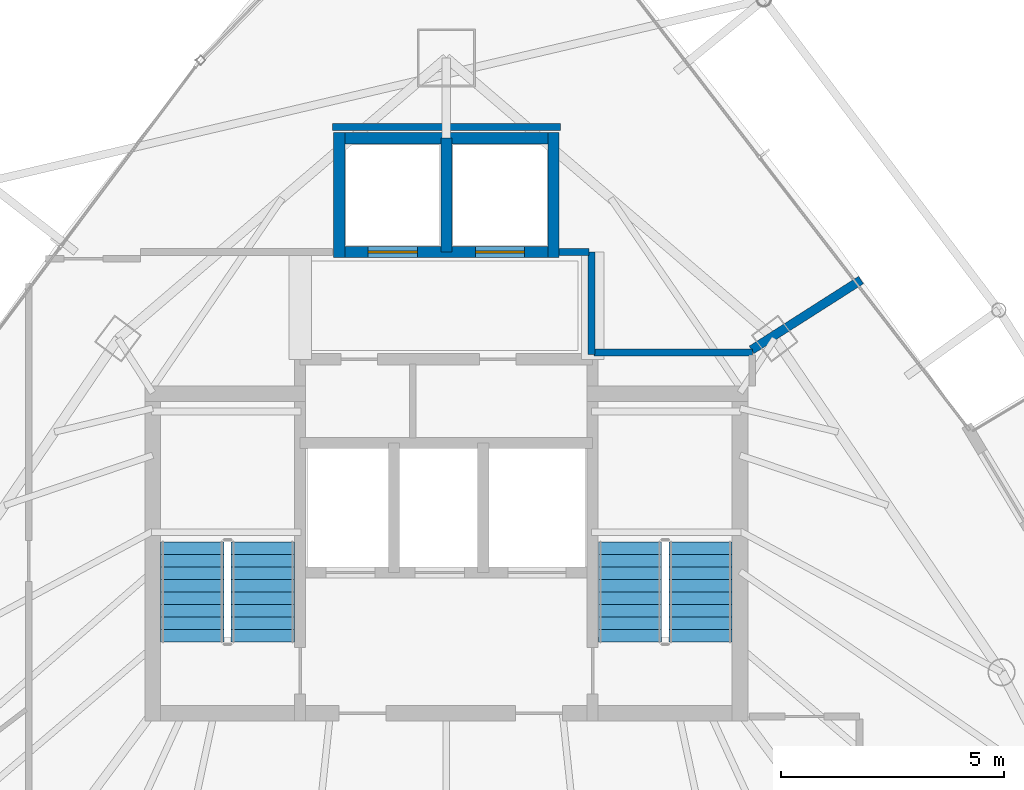
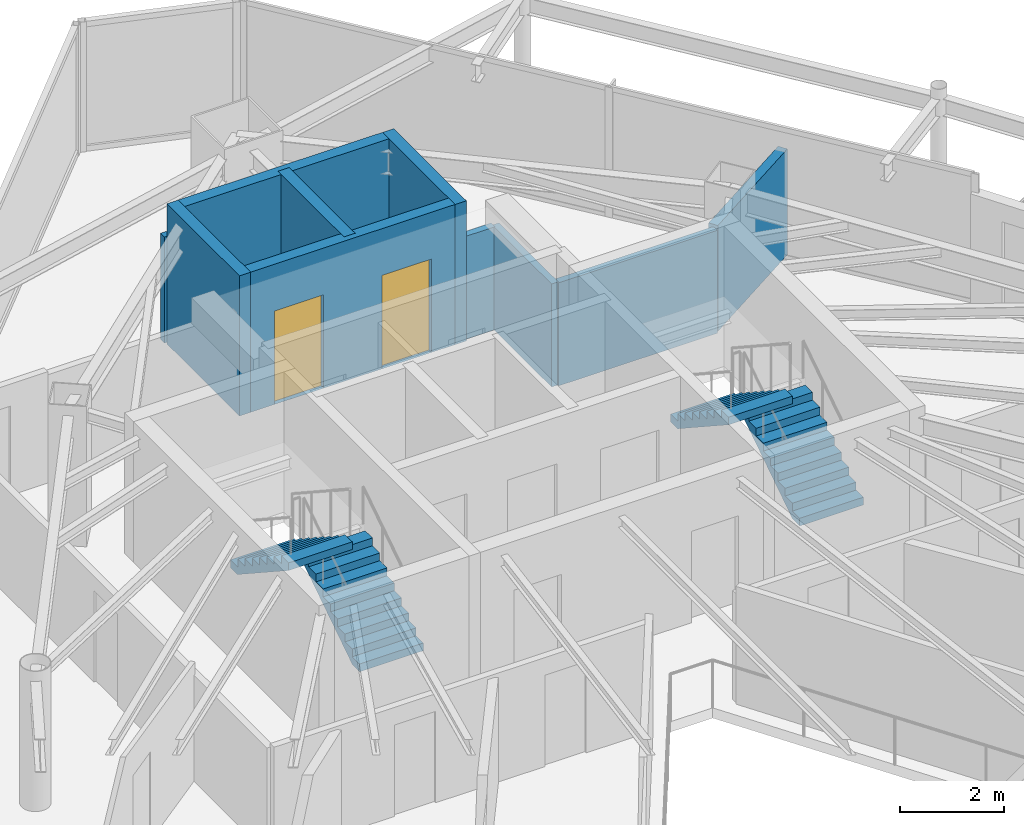
# One storey, part 30 of 33: 10 walls, 4 stair flights, 2 doors, 2 openings, 2 elements without a shape of their own.
"""IFC4 building model written with IfcOpenShell, lengths in metres."""

from ifc_helpers import new_model, si_unit, direction, frame, frame_2d, origin, place, context, subcontext, project, spatial, polyline, rectangle, outline, extrude, material, layer, layer_set, type_object, element, fill, aggregate, save


model = new_model("IFC4")

# Units and contexts
model_context = context("Model", 3, precision=1e-05, world=origin(), true_north=direction((0.0, 1.0)))
body_context = subcontext(model_context, "Body", "Model", "MODEL_VIEW")
ifc_project = project(units=[si_unit("LENGTHUNIT", "METRE"), si_unit("AREAUNIT", "SQUARE_METRE"), si_unit("VOLUMEUNIT", "CUBIC_METRE"), si_unit("PLANEANGLEUNIT", "RADIAN"), si_unit("MASSUNIT", "GRAM", prefix="KILO")], contexts=[model_context])

# Site, building, storey
site_placement = place(None, origin())
site = spatial("IfcSite", under=ifc_project, at=site_placement, CompositionType="ELEMENT")
building_placement = place(site_placement, origin())
building = spatial("IfcBuilding", under=site, at=building_placement, Name="Orvanel Arch Residences", CompositionType="ELEMENT")
storey_placement = place(building_placement, frame((0.0, 0.0, 206.300048828125)))
storey = spatial("IfcBuildingStorey", under=building, at=storey_placement, Name="L58", CompositionType="ELEMENT", Elevation=206.300048828125)

# Wall, openings, doors
ifc_material_1 = material(Name="Concrete N50 (50 MPa)", Category="concrete")
ifc_layer_1 = layer(ifc_material_1, 0.25)
ifc_layer_set_1 = layer_set([ifc_layer_1], Name="Concrete N50 (50 MPa)")
wall_type_1 = type_object("IfcWallType", Name="SW-CORE-250", PredefinedType="SHEAR", material=ifc_layer_set_1)
wall_1_placement = place(storey_placement, frame((35.52490234375, 37.050048828125, 0.0), z_axis=(0.0, 0.0, 1.0), x_axis=(-1.0, 0.0, 0.0)))
wall_1 = element("IfcWall", 1, at=wall_1_placement, inside=storey, type_object=wall_type_1, Name="L58 Passenger Lift Bank Front Shear Wall", PredefinedType="SHEAR", context=body_context, shape_type="SweptSolid", body=[
    extrude(rectangle(XDim=5.0498046875, YDim=0.25, at=frame_2d((2.52490234375, 0.0))), origin(), (0.0, 0.0, 1.0), 3.300048828125),
])
opening_1_placement = place(wall_1_placement, frame((3.175048828125, 0.0, 0.0)))
opening_1 = element("IfcOpeningElement", 2, at=opening_1_placement, cuts=wall_1, Name="Opening LD-110", PredefinedType="OPENING", context=body_context, shape_type="SweptSolid", body=[
    extrude(rectangle(XDim=1.10009765625, YDim=2.199951171875, at=frame_2d((0.550048828125, 1.10009765625))), frame((0.0, 0.135009765625, 0.0), z_axis=(0.0, -1.0, 0.0), x_axis=(1.0, 0.0, 0.0)), (0.0, 0.0, 1.0), 0.27001953125),
])
opening_2_placement = place(wall_1_placement, frame((0.77490234375, 0.0, 0.0)))
opening_2 = element("IfcOpeningElement", 3, at=opening_2_placement, cuts=wall_1, Name="Opening LD-110", PredefinedType="OPENING", context=body_context, shape_type="SweptSolid", body=[
    extrude(rectangle(XDim=1.10009765625, YDim=2.199951171875, at=frame_2d((0.550048828125, 1.10009765625))), frame((0.0, 0.135009765625, 0.0), z_axis=(0.0, -1.0, 0.0), x_axis=(1.0, 0.0, 0.0)), (0.0, 0.0, 1.0), 0.27001953125),
])
ifc_material_2 = material(Name="Galvanised steel fire-resisting door assembly", Category="steel")
door_type = type_object("IfcDoorType", Name="DR-LFT-1100", OperationType="NOTDEFINED", PredefinedType="DOOR", material=ifc_material_2)
door_1_placement = place(opening_1_placement, origin())
door_1 = element("IfcDoor", 4, at=door_1_placement, inside=storey, type_object=door_type, Name="LD-P5-L58 L58 Passenger Lift P5 Sliding Landing Door", OperationType="DOUBLE_DOOR_SLIDING", OverallHeight=2.199951171875, OverallWidth=1.10009765625, PredefinedType="DOOR", context=body_context, shape_type="SweptSolid", body=[
    extrude(rectangle(XDim=1.10009765625, YDim=2.199951171875, at=frame_2d((0.550048828125, 1.10009765625))), frame((0.0, 0.02490234375, 0.0), z_axis=(0.0, -1.0, 0.0), x_axis=(1.0, 0.0, 0.0)), (0.0, 0.0, 1.0), 0.050048828125),
])
fill(opening_1, door_1)
door_2_placement = place(opening_2_placement, origin())
door_2 = element("IfcDoor", 5, at=door_2_placement, inside=storey, type_object=door_type, Name="LD-P6-L58 L58 Passenger Lift P6 Sliding Landing Door", OperationType="DOUBLE_DOOR_SLIDING", OverallHeight=2.199951171875, OverallWidth=1.10009765625, PredefinedType="DOOR", context=body_context, shape_type="SweptSolid", body=[
    extrude(rectangle(XDim=1.10009765625, YDim=2.199951171875, at=frame_2d((0.550048828125, 1.10009765625))), frame((0.0, 0.02490234375, 0.0), z_axis=(0.0, -1.0, 0.0), x_axis=(1.0, 0.0, 0.0)), (0.0, 0.0, 1.0), 0.050048828125),
])
fill(opening_2, door_2)

# Walls
wall_2_placement = place(storey_placement, frame((30.47509765625, 39.60009765625, 0.0), z_axis=(0.0, 0.0, 1.0), x_axis=(1.0, 0.0, 0.0)))
element("IfcWall", 6, at=wall_2_placement, inside=storey, type_object=wall_type_1, Name="L58 Passenger Lift Bank North Shear Wall", PredefinedType="SHEAR", context=body_context, shape_type="SweptSolid", body=[
    extrude(rectangle(XDim=5.0498046875, YDim=0.25, at=frame_2d((2.52490234375, 0.0))), origin(), (0.0, 0.0, 1.0), 3.300048828125),
])
for number, where, z_axis, x_axis, name in (
    (7, (30.60009765625, 36.925048828125, 0.0), (0.0, 0.0, 1.0), (0.0, 1.0, 0.0), "L58 Passenger Lift Bank West Shear Wall"),
    (8, (35.39990234375, 36.925048828125, 0.0), (0.0, 0.0, 1.0), (0.0, 1.0, 0.0), "L58 Passenger Lift Bank East Shear Wall"),
):
    element("IfcWall", number, at=place(storey_placement, frame(where, z_axis=z_axis, x_axis=x_axis)), inside=storey, type_object=wall_type_1, Name=name, PredefinedType="SHEAR", context=body_context, shape_type="SweptSolid", body=[
        extrude(rectangle(XDim=2.800048828125, YDim=0.25, at=frame_2d((1.39990234375, 0.0))), origin(), (0.0, 0.0, 1.0), 3.300048828125),
    ])
wall_3_placement = place(storey_placement, frame((33.0, 37.050048828125, 0.0), z_axis=(0.0, 0.0, 1.0), x_axis=(0.0, 1.0, 0.0)))
element("IfcWall", 9, at=wall_3_placement, inside=storey, type_object=wall_type_1, Name="L58 Passenger Lift Inter-Shaft Wall P56", PredefinedType="SHEAR", context=body_context, shape_type="SweptSolid", body=[
    extrude(rectangle(XDim=2.550048828125, YDim=0.25, at=frame_2d((1.27490234375, 0.0))), origin(), (0.0, 0.0, 1.0), 3.300048828125),
])
ifc_material_3 = material(Name="Fire-rated plasterboard lined steel stud partition", Category="steel")
ifc_layer_2 = layer(ifc_material_3, 0.14990234375)
ifc_layer_set_2 = layer_set([ifc_layer_2], Name="Fire-rated plasterboard lined steel stud partition")
wall_type_2 = type_object("IfcWallType", Name="W-COR-150", PredefinedType="PARTITIONING", material=ifc_layer_set_2)
wall_4_placement = place(storey_placement, frame((36.25, 34.760009765625, 0.0), z_axis=(0.0, 0.0, 1.0), x_axis=(0.0, 1.0, 0.0)))
element("IfcWall", 10, at=wall_4_placement, inside=storey, type_object=wall_type_2, Name="L58 Passenger Lift Lobby East Closure Wall", PredefinedType="PARTITIONING", context=body_context, shape_type="SweptSolid", body=[
    extrude(rectangle(XDim=2.2900390625, YDim=0.14990234375, at=frame_2d((1.14501953125, 0.0))), origin(), (0.0, 0.0, 1.0), 2.425048828125),
])
wall_5_placement = place(storey_placement, frame((35.52490234375, 37.050048828125, 0.0), z_axis=(0.0, 0.0, 1.0), x_axis=(1.0, 0.0, 0.0)))
element("IfcWall", 11, at=wall_5_placement, inside=storey, type_object=wall_type_2, Name="L58 Passenger Lift Lobby North-East Wall", PredefinedType="PARTITIONING", context=body_context, shape_type="SweptSolid", body=[
    extrude(rectangle(XDim=0.6650390625, YDim=0.14990234375, at=frame_2d((0.33251953125, 0.0))), origin(), (0.0, 0.0, 1.0), 2.425048828125),
])
wall_6_placement = place(storey_placement, frame((30.449951171875, 39.85009765625, 0.0), z_axis=(0.0, 0.0, 1.0), x_axis=(1.0, 0.0, 0.0)))
element("IfcWall", 12, at=wall_6_placement, inside=storey, type_object=wall_type_2, Name="L58 Core Perimeter Partition", PredefinedType="PARTITIONING", context=body_context, shape_type="SweptSolid", body=[
    extrude(rectangle(XDim=5.10009765625, YDim=0.14990234375, at=frame_2d((2.550048828125, 0.0))), origin(), (0.0, 0.0, 1.0), 2.491943359375),
])
wall_7_placement = place(storey_placement, frame((36.31005859375, 34.800048828125, 0.0), z_axis=(0.0, 0.0, 1.0), x_axis=(1.0, 0.0, 0.0)))
element("IfcWall", 13, at=wall_7_placement, inside=storey, type_object=wall_type_2, Name="L58 Core Perimeter Partition", PredefinedType="PARTITIONING", context=body_context, shape_type="SweptSolid", body=[
    extrude(rectangle(XDim=3.5400390625, YDim=0.14990234375, at=frame_2d((1.77001953125, 0.0))), origin(), (0.0, 0.0, 1.0), 2.425048828125),
])
ifc_layer_3 = layer(ifc_material_3, 0.199951171875)
ifc_layer_set_3 = layer_set([ifc_layer_3], Name="Fire-rated plasterboard lined steel stud partition")
wall_type_3 = type_object("IfcWallType", Name="W-DEM-200", PredefinedType="PARTITIONING", material=ifc_layer_set_3)
wall_8_placement = place(storey_placement, frame((39.8330078125, 34.860107421875, 0.0), z_axis=(0.0, 0.0, 1.0), x_axis=(0.842993506682, 0.537923737803, 0.0)))
element("IfcWall", 14, at=wall_8_placement, inside=storey, type_object=wall_type_3, Name="L58 Inter-Tenancy Acoustic Demising Wall", PredefinedType="PARTITIONING", context=body_context, shape_type="SweptSolid", body=[
    extrude(rectangle(XDim=2.907470703125, YDim=0.199951171875, at=frame_2d((1.45361328125, 0.0))), origin(), (0.0, 0.0, 1.0), 2.491943359375),
])

# Stair, stair flights
ifc_material_4 = material(Name="Precast concrete N50 (50 MPa)", Category="concrete")
stair_type = type_object("IfcStairType", Name="STR-DOG-184", PredefinedType="USERDEFINED", material=ifc_material_4)
stair_1_placement = place(storey_placement, origin())
stair_1 = element("IfcStair", 15, at=stair_1_placement, inside=storey, type_object=stair_type, Name="L58 Fire-Isolated Core Exit Stair 1", ObjectType="TWO_RETURN_STAIR", PredefinedType="USERDEFINED")
stair_flight_type_1 = type_object("IfcStairFlightType", Name="SFL-C1-184", PredefinedType="STRAIGHT", material=ifc_material_4)
stair_flight_1_placement = place(storey_placement, frame((28.889892578125, 28.320068359375, 0.0), z_axis=(0.0, 0.0, 1.0), x_axis=(0.0, 1.0, 0.0)))
stair_flight_1 = element("IfcStairFlight", 16, at=stair_flight_1_placement, type_object=stair_flight_type_1, Name="ST-1 flight 1", NumberOfRisers=9, NumberOfTreads=8, PredefinedType="STRAIGHT", RiserHeight=0.183333333, TreadLength=0.28, context=body_context, shape_type="SweptSolid", body=[
    extrude(outline(polyline([(0.0, 0.0), (0.0, 0.183349609375), (0.280029296875, 0.183349609375), (0.280029296875, 0.36669921875), (0.56005859375, 0.36669921875), (0.56005859375, 0.550048828125), (0.840087890625, 0.550048828125), (0.840087890625, 0.7333984375), (1.1201171875, 0.7333984375), (1.1201171875, 0.916748046875), (1.39990234375, 0.916748046875), (1.39990234375, 1.10009765625), (1.679931640625, 1.10009765625), (1.679931640625, 1.283447265625), (1.9599609375, 1.283447265625), (1.9599609375, 1.466552734375), (2.239990234375, 1.466552734375), (2.239990234375, 1.64990234375), (2.239990234375, 1.28759765625), (0.273681640625, 0.0), (0.0, 0.0)])), frame((0.0, 0.7099609375, 0.0), z_axis=(0.0, -1.0, 0.0), x_axis=(1.0, 0.0, 0.0)), (0.0, 0.0, 1.0), 1.419921875),
])
stair_flight_2_placement = place(storey_placement, frame((27.31005859375, 30.56005859375, 1.64990234375), z_axis=(0.0, 0.0, 1.0), x_axis=(0.0, -1.0, 0.0)))
stair_flight_2 = element("IfcStairFlight", 17, at=stair_flight_2_placement, type_object=stair_flight_type_1, Name="ST-1 flight 2", NumberOfRisers=9, NumberOfTreads=8, PredefinedType="STRAIGHT", RiserHeight=0.183333333, TreadLength=0.28, context=body_context, shape_type="SweptSolid", body=[
    extrude(outline(polyline([(0.0, 0.0), (0.0, 0.183349609375), (0.280029296875, 0.183349609375), (0.280029296875, 0.36669921875), (0.56005859375, 0.36669921875), (0.56005859375, 0.550048828125), (0.840087890625, 0.550048828125), (0.840087890625, 0.7333984375), (1.1201171875, 0.7333984375), (1.1201171875, 0.916748046875), (1.39990234375, 0.916748046875), (1.39990234375, 1.10009765625), (1.679931640625, 1.10009765625), (1.679931640625, 1.283447265625), (1.9599609375, 1.283447265625), (1.9599609375, 1.466552734375), (2.239990234375, 1.466552734375), (2.239990234375, 1.64990234375), (2.239990234375, 1.28759765625), (0.273681640625, 0.0), (0.0, 0.0)])), frame((0.0, 0.7099609375, 0.0), z_axis=(0.0, -1.0, 0.0), x_axis=(1.0, 0.0, 0.0)), (0.0, 0.0, 1.0), 1.419921875),
])
aggregate(stair_1, [stair_flight_1, stair_flight_2])

stair_2_placement = place(storey_placement, origin())
stair_2 = element("IfcStair", 18, at=stair_2_placement, inside=storey, type_object=stair_type, Name="L58 Fire-Isolated Core Exit Stair 2", ObjectType="TWO_RETURN_STAIR", PredefinedType="USERDEFINED")
stair_flight_type_2 = type_object("IfcStairFlightType", Name="SFL-C2-184", PredefinedType="STRAIGHT", material=ifc_material_4)
stair_flight_3_placement = place(storey_placement, frame((38.68994140625, 28.320068359375, 0.0), z_axis=(0.0, 0.0, 1.0), x_axis=(0.0, 1.0, 0.0)))
stair_flight_3 = element("IfcStairFlight", 19, at=stair_flight_3_placement, type_object=stair_flight_type_2, Name="ST-2 flight 1", NumberOfRisers=9, NumberOfTreads=8, PredefinedType="STRAIGHT", RiserHeight=0.183333333, TreadLength=0.28, context=body_context, shape_type="SweptSolid", body=[
    extrude(outline(polyline([(0.0, 0.0), (0.0, 0.183349609375), (0.280029296875, 0.183349609375), (0.280029296875, 0.36669921875), (0.56005859375, 0.36669921875), (0.56005859375, 0.550048828125), (0.840087890625, 0.550048828125), (0.840087890625, 0.7333984375), (1.1201171875, 0.7333984375), (1.1201171875, 0.916748046875), (1.39990234375, 0.916748046875), (1.39990234375, 1.10009765625), (1.679931640625, 1.10009765625), (1.679931640625, 1.283447265625), (1.9599609375, 1.283447265625), (1.9599609375, 1.466552734375), (2.239990234375, 1.466552734375), (2.239990234375, 1.64990234375), (2.239990234375, 1.28759765625), (0.273681640625, 0.0), (0.0, 0.0)])), frame((0.0, 0.7099609375, 0.0), z_axis=(0.0, -1.0, 0.0), x_axis=(1.0, 0.0, 0.0)), (0.0, 0.0, 1.0), 1.419921875),
])
stair_flight_4_placement = place(storey_placement, frame((37.110107421875, 30.56005859375, 1.64990234375), z_axis=(0.0, 0.0, 1.0), x_axis=(0.0, -1.0, 0.0)))
stair_flight_4 = element("IfcStairFlight", 20, at=stair_flight_4_placement, type_object=stair_flight_type_2, Name="ST-2 flight 2", NumberOfRisers=9, NumberOfTreads=8, PredefinedType="STRAIGHT", RiserHeight=0.183333333, TreadLength=0.28, context=body_context, shape_type="SweptSolid", body=[
    extrude(outline(polyline([(0.0, 0.0), (0.0, 0.183349609375), (0.280029296875, 0.183349609375), (0.280029296875, 0.36669921875), (0.56005859375, 0.36669921875), (0.56005859375, 0.550048828125), (0.840087890625, 0.550048828125), (0.840087890625, 0.7333984375), (1.1201171875, 0.7333984375), (1.1201171875, 0.916748046875), (1.39990234375, 0.916748046875), (1.39990234375, 1.10009765625), (1.679931640625, 1.10009765625), (1.679931640625, 1.283447265625), (1.9599609375, 1.283447265625), (1.9599609375, 1.466552734375), (2.239990234375, 1.466552734375), (2.239990234375, 1.64990234375), (2.239990234375, 1.28759765625), (0.273681640625, 0.0), (0.0, 0.0)])), frame((0.0, 0.7099609375, 0.0), z_axis=(0.0, -1.0, 0.0), x_axis=(1.0, 0.0, 0.0)), (0.0, 0.0, 1.0), 1.419921875),
])
aggregate(stair_2, [stair_flight_3, stair_flight_4])

save(model, "model.ifc")
